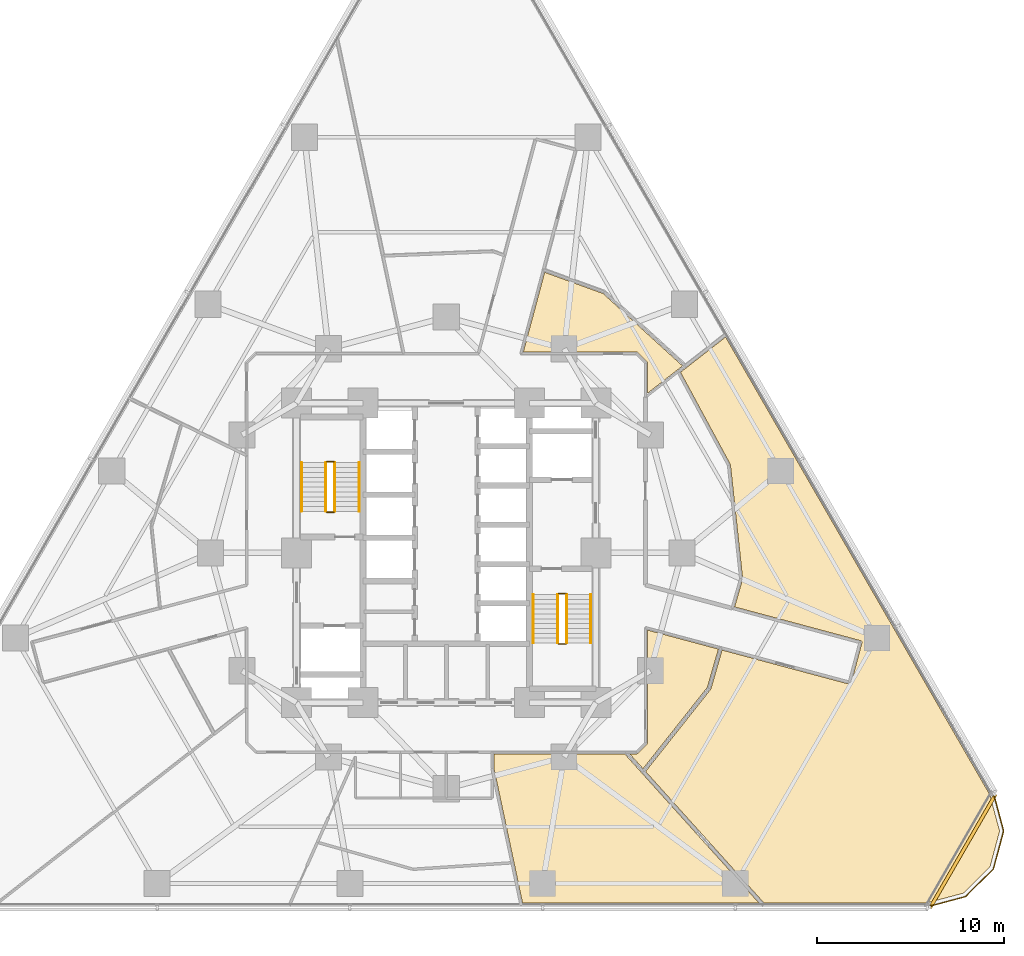
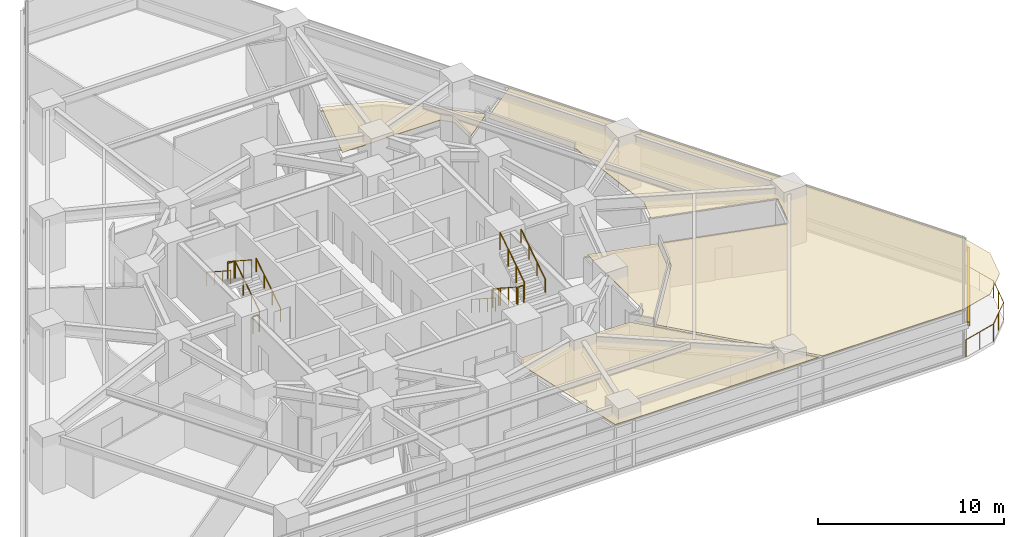
# One storey, part 14 of 15: 13 railings, 4 coverings, 1 shading device.
"""IFC4 building model written with IfcOpenShell, lengths in metres."""

from ifc_helpers import new_model, si_unit, direction, frame, origin, origin_2d, place, context, subcontext, project, spatial, polyline, rectangle, circle, outline, extrude, material, layer, layer_set, type_object, element, save


model = new_model("IFC4")

# Units and contexts
model_context = context("Model", 3, precision=1e-05, world=origin(), true_north=direction((0.0, 1.0)))
body_context = subcontext(model_context, "Body", "Model", "MODEL_VIEW")
ifc_project = project(units=[si_unit("LENGTHUNIT", "METRE"), si_unit("AREAUNIT", "SQUARE_METRE"), si_unit("VOLUMEUNIT", "CUBIC_METRE"), si_unit("PLANEANGLEUNIT", "RADIAN"), si_unit("MASSUNIT", "GRAM", prefix="KILO")], contexts=[model_context])

# Site, building, storey
site_placement = place(None, origin())
site = spatial("IfcSite", under=ifc_project, at=site_placement, CompositionType="ELEMENT")
building_placement = place(site_placement, origin())
building = spatial("IfcBuilding", under=site, at=building_placement, Name="Terralouvre Media Tower", CompositionType="ELEMENT")
storey_placement = place(building_placement, frame((0.0, 0.0, 48.199951171875)))
storey = spatial("IfcBuildingStorey", under=building, at=storey_placement, Name="L11", CompositionType="ELEMENT", Elevation=48.199951171875)

# Coverings
ifc_material_1 = material(Name="Perforated aluminium acoustic ceiling baffle", Category="aluminium")
ifc_layer_1 = layer(ifc_material_1, 0.0400390625, Name="Perforated Acoustic Metal Tile Ceiling CL-AC1")
ifc_layer_set_1 = layer_set([ifc_layer_1], Name="Perforated aluminium acoustic ceiling baffle")
covering_type = type_object("IfcCoveringType", Name="Perforated Acoustic Metal Tile Ceiling CL-AC1", PredefinedType="CEILING", material=ifc_layer_set_1)
covering_1_placement = place(storey_placement, frame((0.0, 0.0, 2.97998046875)))
element("IfcCovering", 1, at=covering_1_placement, inside=storey, type_object=covering_type, Name="L11 Voice Coaching Interview Room 1 Acoustic Ceiling", PredefinedType="CEILING", context=body_context, shape_type="SweptSolid", body=[
    extrude(outline(polyline([(12.6279296875, 9.992919921875), (8.38330078125, 13.85986328125), (5.26025390625, 14.99658203125), (4.122314453125, 10.75), (10.14990234375, 10.75), (10.159912109375, 10.74951171875), (10.16943359375, 10.748046875), (10.178955078125, 10.74560546875), (10.188232421875, 10.742431640625), (10.197021484375, 10.73828125), (10.20556640625, 10.733154296875), (10.21337890625, 10.727294921875), (10.220703125, 10.720703125), (10.720703125, 10.220703125), (10.727294921875, 10.21337890625), (10.733154296875, 10.20556640625), (10.73828125, 10.197021484375), (10.742431640625, 10.188232421875), (10.74560546875, 10.178955078125), (10.748046875, 10.16943359375), (10.74951171875, 10.159912109375), (10.75, 10.14990234375), (10.75, 8.52587890625), (12.329345703125, 9.759765625), (12.6279296875, 9.992919921875)])), origin(), (0.0, 0.0, 1.0), 0.0400390625),
])
covering_2_placement = place(storey_placement, frame((0.0, 0.0, 2.97998046875)))
element("IfcCovering", 2, at=covering_2_placement, inside=storey, type_object=covering_type, Name="L11 Digital Editing Lecture Room 2 Acoustic Ceiling", PredefinedType="CEILING", context=body_context, shape_type="SweptSolid", body=[
    extrude(outline(polyline([(13.955322265625, -7.187255859375), (14.547607421875, -5.14013671875), (10.75, -4.122314453125), (10.75, -10.14990234375), (10.74951171875, -10.159912109375), (10.748046875, -10.16943359375), (10.74560546875, -10.178955078125), (10.742431640625, -10.188232421875), (10.73828125, -10.197021484375), (10.733154296875, -10.20556640625), (10.727294921875, -10.21337890625), (10.720703125, -10.220703125), (10.220703125, -10.720703125), (10.21337890625, -10.727294921875), (10.20556640625, -10.733154296875), (10.197021484375, -10.73828125), (10.188232421875, -10.742431640625), (10.178955078125, -10.74560546875), (10.16943359375, -10.748046875), (10.159912109375, -10.74951171875), (10.14990234375, -10.75), (9.813720703125, -10.75), (10.51708984375, -11.531005859375), (13.955322265625, -7.187255859375)])), origin(), (0.0, 0.0, 1.0), 0.0400390625),
])
covering_3_placement = place(storey_placement, frame((0.0, 0.0, 2.97998046875)))
element("IfcCovering", 3, at=covering_3_placement, inside=storey, type_object=covering_type, Name="L11 Faculty Consultation Office 5 Acoustic Ceiling", PredefinedType="CEILING", context=body_context, shape_type="SweptSolid", body=[
    extrude(outline(polyline([(12.51904296875, 9.654296875), (15.177001953125, 4.732421875), (15.18115234375, 4.723876953125), (15.1845703125, 4.714599609375), (15.18701171875, 4.705322265625), (15.1884765625, 4.69580078125), (15.83935546875, -1.3662109375), (15.840087890625, -1.3759765625), (15.839599609375, -1.3857421875), (15.83837890625, -1.3955078125), (15.836181640625, -1.40478515625), (15.407470703125, -2.8857421875), (22.140869140625, -4.6904296875), (22.150146484375, -4.693359375), (22.1591796875, -4.697265625), (22.167724609375, -4.7021484375), (22.17578125, -4.707763671875), (22.183349609375, -4.714111328125), (22.190185546875, -4.72119140625), (22.1962890625, -4.728759765625), (22.20166015625, -4.737060546875), (22.2060546875, -4.74560546875), (22.209716796875, -4.7548828125), (22.21240234375, -4.764404296875), (22.214111328125, -4.77392578125), (22.21484375, -4.78369140625), (22.21484375, -4.793701171875), (22.213623046875, -4.80322265625), (22.211669921875, -4.81298828125), (21.6416015625, -6.93798828125), (21.638671875, -6.947265625), (21.634765625, -6.956298828125), (21.6298828125, -6.96484375), (21.624267578125, -6.972900390625), (21.617919921875, -6.98046875), (21.61083984375, -6.9873046875), (21.603271484375, -6.993408203125), (21.594970703125, -6.99853515625), (21.586181640625, -7.003173828125), (21.5771484375, -7.006591796875), (21.567626953125, -7.009521484375), (21.55810546875, -7.010986328125), (21.54833984375, -7.011962890625), (21.53857421875, -7.01171875), (21.52880859375, -7.0107421875), (21.51904296875, -7.008544921875), (14.74072265625, -5.19189453125), (14.14208984375, -7.26171875), (14.138916015625, -7.27099609375), (14.135009765625, -7.27978515625), (14.130126953125, -7.2880859375), (14.12451171875, -7.296142578125), (10.65283203125, -11.681884765625), (16.969482421875, -18.697021484375), (25.720703125, -18.697021484375), (27.6611328125, -18.17724609375), (29.060302734375, -16.7783203125), (29.572509765625, -14.866943359375), (29.052734375, -12.926513671875), (14.928955078125, 11.536376953125), (12.844482421875, 9.908203125), (12.51904296875, 9.654296875)])), origin(), (0.0, 0.0, 1.0), 0.0400390625),
])
covering_4_placement = place(storey_placement, frame((0.0, 0.0, 2.97998046875)))
element("IfcCovering", 4, at=covering_4_placement, inside=storey, type_object=covering_type, Name="L11 Journalism Training Classroom 13 Acoustic Ceiling", PredefinedType="CEILING", context=body_context, shape_type="SweptSolid", body=[
    extrude(outline(polyline([(9.54443359375, -10.75), (2.550048828125, -10.75), (2.550048828125, -11.515380859375), (3.617919921875, -16.539306640625), (4.075927734375, -18.697021484375), (16.700439453125, -18.697021484375), (10.44775390625, -11.7529296875), (9.54443359375, -10.75)])), origin(), (0.0, 0.0, 1.0), 0.0400390625),
])

# Railings
ifc_material_2 = material(Name="Stainless steel 316 handrail and balustrade", Category="steel")
ifc_layer_2 = layer(ifc_material_2, 0.06005859375, Name="Roof Edge Safety Guardrail GR-ROOF1")
ifc_layer_set_2 = layer_set([ifc_layer_2], Name="Stainless steel 316 handrail and balustrade")
railing_type_1 = type_object("IfcRailingType", Name="Roof Edge Safety Guardrail GR-ROOF1", PredefinedType="GUARDRAIL", material=ifc_layer_set_2)
railing_1_placement = place(storey_placement, frame((25.73779296875, -18.907958984375, 0.0)))
element("IfcRailing", 5, at=railing_1_placement, inside=storey, type_object=railing_type_1, Name="L11 Wind-Corner Perimeter Safety Guardrail C1", PredefinedType="GUARDRAIL", context=body_context, shape_type="SweptSolid", body=[
    extrude(circle(Radius=0.02099609375, at=origin_2d()), frame((0.0, 0.0, 1.12890625), z_axis=(0.965987029675, 0.258590522836, 0.0), x_axis=(-0.258590522836, 0.965987029675, 0.0)), (0.0, 0.0, 1.0), 2.095947265625),
    extrude(circle(Radius=0.02099609375, at=origin_2d()), frame((2.024658203125, 0.5419921875, 1.12890625), z_axis=(0.707165029613, 0.707048527961, 0.0), x_axis=(-0.707048527961, 0.707165029613, 0.0)), (0.0, 0.0, 1.0), 2.095703125),
    extrude(circle(Radius=0.02099609375, at=origin_2d()), frame((3.506591796875, 2.023681640625, 1.12890625), z_axis=(0.258757438042, 0.965942331745, 0.0), x_axis=(-0.965942331745, 0.258757438042, 0.0)), (0.0, 0.0, 1.0), 2.095458984375),
    extrude(circle(Radius=0.02099609375, at=origin_2d()), frame((4.048828125, 4.0478515625, 1.12890625), z_axis=(-0.259054358605, 0.965862743503, 0.0), x_axis=(-0.965862743503, -0.259054358605, 0.0)), (0.0, 0.0, 1.0), 2.095947265625),
    extrude(circle(Radius=0.01904296875, at=origin_2d()), origin(), (0.0, 0.0, 1.0), 1.10791015625),
    extrude(circle(Radius=0.01904296875, at=origin_2d()), frame((1.01220703125, 0.27099609375, 0.0)), (0.0, 0.0, 1.0), 1.10791015625),
    extrude(circle(Radius=0.01904296875, at=origin_2d()), frame((2.024658203125, 0.5419921875, 0.0)), (0.0, 0.0, 1.0), 1.10791015625),
    extrude(circle(Radius=0.01904296875, at=origin_2d()), frame((2.765625, 1.28271484375, 0.0)), (0.0, 0.0, 1.0), 1.10791015625),
    extrude(circle(Radius=0.01904296875, at=origin_2d()), frame((3.506591796875, 2.023681640625, 0.0)), (0.0, 0.0, 1.0), 1.10791015625),
    extrude(circle(Radius=0.01904296875, at=origin_2d()), frame((3.77783203125, 3.03564453125, 0.0)), (0.0, 0.0, 1.0), 1.10791015625),
    extrude(circle(Radius=0.01904296875, at=origin_2d()), frame((4.048828125, 4.0478515625, 0.0)), (0.0, 0.0, 1.0), 1.10791015625),
    extrude(circle(Radius=0.01904296875, at=origin_2d()), frame((3.77734375, 5.06005859375, 0.0)), (0.0, 0.0, 1.0), 1.10791015625),
    extrude(circle(Radius=0.01904296875, at=origin_2d()), frame((3.505859375, 6.072265625, 0.0)), (0.0, 0.0, 1.0), 1.10791015625),
])
ifc_material_3 = material(Name="Stainless steel 316 handrail and balustrade", Category="steel")
ifc_layer_3 = layer(ifc_material_3, 0.050048828125, Name="Stair Flight Wall Handrail HR-INT1")
ifc_layer_set_3 = layer_set([ifc_layer_3], Name="Stainless steel 316 handrail and balustrade")
railing_type_2 = type_object("IfcRailingType", Name="Stair Flight Wall Handrail HR-INT1", PredefinedType="HANDRAIL", material=ifc_layer_set_3)
railing_2_placement = place(storey_placement, frame((-4.64990234375, 2.219970703125, 0.168212890625)))
element("IfcRailing", 6, at=railing_2_placement, inside=storey, type_object=railing_type_2, Name="L11 ST-01 stair handrail 1", PredefinedType="HANDRAIL", context=body_context, shape_type="SweptSolid", body=[
    extrude(circle(Radius=0.02392578125, at=origin_2d()), frame((0.0, 0.0, 0.8759765625), z_axis=(0.0, 0.839648411786, 0.543130320075), x_axis=(-1.0, 0.0, 0.0)), (0.0, 0.0, 1.0), 3.0966796875),
    extrude(circle(Radius=0.02099609375, at=origin_2d()), origin(), (0.0, 0.0, 1.0), 0.851806640625),
    extrude(circle(Radius=0.02099609375, at=origin_2d()), frame((0.0, 0.86669921875, 0.560546875)), (0.0, 0.0, 1.0), 0.851806640625),
    extrude(circle(Radius=0.02099609375, at=origin_2d()), frame((0.0, 1.7333984375, 1.121337890625)), (0.0, 0.0, 1.0), 0.851806640625),
    extrude(circle(Radius=0.02099609375, at=origin_2d()), frame((0.0, 2.60009765625, 1.681884765625)), (0.0, 0.0, 1.0), 0.851806640625),
])
railing_3_placement = place(storey_placement, frame((-7.72998046875, 4.820068359375, 2.018310546875)))
element("IfcRailing", 7, at=railing_3_placement, inside=storey, type_object=railing_type_2, Name="L11 ST-01 stair handrail 2", PredefinedType="HANDRAIL", context=body_context, shape_type="SweptSolid", body=[
    extrude(circle(Radius=0.02392578125, at=origin_2d()), frame((0.0, 0.0, 0.8759765625), z_axis=(0.0, -0.839684365666, 0.543074733399), x_axis=(1.0, 0.0, 0.0)), (0.0, 0.0, 1.0), 3.096435546875),
    extrude(circle(Radius=0.02099609375, at=origin_2d()), origin(), (0.0, 0.0, 1.0), 0.851806640625),
    extrude(circle(Radius=0.02099609375, at=origin_2d()), frame((0.0, -0.86669921875, 0.560546875)), (0.0, 0.0, 1.0), 0.851806640625),
    extrude(circle(Radius=0.02099609375, at=origin_2d()), frame((0.0, -1.7333984375, 1.12109375)), (0.0, 0.0, 1.0), 0.851806640625),
    extrude(circle(Radius=0.02099609375, at=origin_2d()), frame((0.0, -2.60009765625, 1.681640625)), (0.0, 0.0, 1.0), 0.851806640625),
])
railing_4_placement = place(storey_placement, frame((4.64990234375, -2.219970703125, 0.168212890625)))
element("IfcRailing", 8, at=railing_4_placement, inside=storey, type_object=railing_type_2, Name="L11 ST-02 stair handrail 1", PredefinedType="HANDRAIL", context=body_context, shape_type="SweptSolid", body=[
    extrude(circle(Radius=0.02392578125, at=origin_2d()), frame((0.0, 0.0, 0.8759765625), z_axis=(0.0, -0.839648411786, 0.543130320075), x_axis=(1.0, 0.0, 0.0)), (0.0, 0.0, 1.0), 3.0966796875),
    extrude(circle(Radius=0.02099609375, at=origin_2d()), origin(), (0.0, 0.0, 1.0), 0.851806640625),
    extrude(circle(Radius=0.02099609375, at=origin_2d()), frame((0.0, -0.86669921875, 0.560546875)), (0.0, 0.0, 1.0), 0.851806640625),
    extrude(circle(Radius=0.02099609375, at=origin_2d()), frame((0.0, -1.7333984375, 1.121337890625)), (0.0, 0.0, 1.0), 0.851806640625),
    extrude(circle(Radius=0.02099609375, at=origin_2d()), frame((0.0, -2.60009765625, 1.681884765625)), (0.0, 0.0, 1.0), 0.851806640625),
])
railing_5_placement = place(storey_placement, frame((7.72998046875, -4.820068359375, 2.018310546875)))
element("IfcRailing", 9, at=railing_5_placement, inside=storey, type_object=railing_type_2, Name="L11 ST-02 stair handrail 2", PredefinedType="HANDRAIL", context=body_context, shape_type="SweptSolid", body=[
    extrude(circle(Radius=0.02392578125, at=origin_2d()), frame((0.0, 0.0, 0.8759765625), z_axis=(0.0, 0.839684365666, 0.543074733399), x_axis=(-1.0, 0.0, 0.0)), (0.0, 0.0, 1.0), 3.096435546875),
    extrude(circle(Radius=0.02099609375, at=origin_2d()), origin(), (0.0, 0.0, 1.0), 0.851806640625),
    extrude(circle(Radius=0.02099609375, at=origin_2d()), frame((0.0, 0.86669921875, 0.560546875)), (0.0, 0.0, 1.0), 0.851806640625),
    extrude(circle(Radius=0.02099609375, at=origin_2d()), frame((0.0, 1.7333984375, 1.12109375)), (0.0, 0.0, 1.0), 0.851806640625),
    extrude(circle(Radius=0.02099609375, at=origin_2d()), frame((0.0, 2.60009765625, 1.681640625)), (0.0, 0.0, 1.0), 0.851806640625),
])
ifc_material_4 = material(Name="Stainless steel 316 handrail and balustrade", Category="steel")
ifc_layer_4 = layer(ifc_material_4, 0.050048828125, Name="Stairwell Safety Guardrail GR-INT1")
ifc_layer_set_4 = layer_set([ifc_layer_4], Name="Stainless steel 316 handrail and balustrade")
railing_type_3 = type_object("IfcRailingType", Name="Stairwell Safety Guardrail GR-INT1", PredefinedType="GUARDRAIL", material=ifc_layer_set_4)
railing_6_placement = place(storey_placement, frame((-5.949951171875, 2.219970703125, 0.168212890625)))
element("IfcRailing", 10, at=railing_6_placement, inside=storey, type_object=railing_type_3, Name="L11 ST-01 stair guard 1", PredefinedType="GUARDRAIL", context=body_context, shape_type="SweptSolid", body=[
    extrude(circle(Radius=0.02392578125, at=origin_2d()), frame((0.0, 0.0, 1.1259765625), z_axis=(0.0, 0.839648411786, 0.543130320075), x_axis=(-1.0, 0.0, 0.0)), (0.0, 0.0, 1.0), 3.0966796875),
    extrude(circle(Radius=0.02099609375, at=origin_2d()), origin(), (0.0, 0.0, 1.0), 1.101806640625),
    extrude(circle(Radius=0.02099609375, at=origin_2d()), frame((0.0, 0.86669921875, 0.560546875)), (0.0, 0.0, 1.0), 1.101806640625),
    extrude(circle(Radius=0.02099609375, at=origin_2d()), frame((0.0, 1.7333984375, 1.121337890625)), (0.0, 0.0, 1.0), 1.101806640625),
    extrude(circle(Radius=0.02099609375, at=origin_2d()), frame((0.0, 2.60009765625, 1.681884765625)), (0.0, 0.0, 1.0), 1.101806640625),
])
railing_7_placement = place(storey_placement, frame((-6.0, 4.8701171875, 1.85009765625)))
element("IfcRailing", 11, at=railing_7_placement, inside=storey, type_object=railing_type_3, Name="L11 ST-01 stair guard 2", PredefinedType="GUARDRAIL", context=body_context, shape_type="SweptSolid", body=[
    extrude(circle(Radius=0.02392578125, at=origin_2d()), frame((0.0, 0.0, 1.1259765625), z_axis=(-1.0, 0.0, 0.0), x_axis=(0.0, -1.0, 0.0)), (0.0, 0.0, 1.0), 0.3798828125),
    extrude(circle(Radius=0.02099609375, at=origin_2d()), origin(), (0.0, 0.0, 1.0), 1.101806640625),
    extrude(circle(Radius=0.02099609375, at=origin_2d()), frame((-0.3798828125, 0.0, 0.0)), (0.0, 0.0, 1.0), 1.101806640625),
])
railing_8_placement = place(storey_placement, frame((-6.429931640625, 4.820068359375, 2.018310546875)))
element("IfcRailing", 12, at=railing_8_placement, inside=storey, type_object=railing_type_3, Name="L11 ST-01 stair guard 3", PredefinedType="GUARDRAIL", context=body_context, shape_type="SweptSolid", body=[
    extrude(circle(Radius=0.02392578125, at=origin_2d()), frame((0.0, 0.0, 1.1259765625), z_axis=(0.0, -0.839684365666, 0.543074733399), x_axis=(1.0, 0.0, 0.0)), (0.0, 0.0, 1.0), 3.096435546875),
    extrude(circle(Radius=0.02099609375, at=origin_2d()), origin(), (0.0, 0.0, 1.0), 1.101806640625),
    extrude(circle(Radius=0.02099609375, at=origin_2d()), frame((0.0, -0.86669921875, 0.560546875)), (0.0, 0.0, 1.0), 1.101806640625),
    extrude(circle(Radius=0.02099609375, at=origin_2d()), frame((0.0, -1.7333984375, 1.12109375)), (0.0, 0.0, 1.0), 1.101806640625),
    extrude(circle(Radius=0.02099609375, at=origin_2d()), frame((0.0, -2.60009765625, 1.681640625)), (0.0, 0.0, 1.0), 1.101806640625),
])
railing_9_placement = place(storey_placement, frame((-6.0, 2.169921875, 0.0)))
element("IfcRailing", 13, at=railing_9_placement, inside=storey, type_object=railing_type_3, Name="L11 ST-01 stair guard 4", PredefinedType="GUARDRAIL", context=body_context, shape_type="SweptSolid", body=[
    extrude(circle(Radius=0.02392578125, at=origin_2d()), frame((0.0, 0.0, 1.1259765625), z_axis=(-1.0, 0.0, 0.0), x_axis=(0.0, -1.0, 0.0)), (0.0, 0.0, 1.0), 0.3798828125),
    extrude(circle(Radius=0.02099609375, at=origin_2d()), origin(), (0.0, 0.0, 1.0), 1.101806640625),
    extrude(circle(Radius=0.02099609375, at=origin_2d()), frame((-0.3798828125, 0.0, 0.0)), (0.0, 0.0, 1.0), 1.101806640625),
])
railing_10_placement = place(storey_placement, frame((5.949951171875, -2.219970703125, 0.168212890625)))
element("IfcRailing", 14, at=railing_10_placement, inside=storey, type_object=railing_type_3, Name="L11 ST-02 stair guard 1", PredefinedType="GUARDRAIL", context=body_context, shape_type="SweptSolid", body=[
    extrude(circle(Radius=0.02392578125, at=origin_2d()), frame((0.0, 0.0, 1.1259765625), z_axis=(0.0, -0.839648411786, 0.543130320075), x_axis=(1.0, 0.0, 0.0)), (0.0, 0.0, 1.0), 3.0966796875),
    extrude(circle(Radius=0.02099609375, at=origin_2d()), origin(), (0.0, 0.0, 1.0), 1.101806640625),
    extrude(circle(Radius=0.02099609375, at=origin_2d()), frame((0.0, -0.86669921875, 0.560546875)), (0.0, 0.0, 1.0), 1.101806640625),
    extrude(circle(Radius=0.02099609375, at=origin_2d()), frame((0.0, -1.7333984375, 1.121337890625)), (0.0, 0.0, 1.0), 1.101806640625),
    extrude(circle(Radius=0.02099609375, at=origin_2d()), frame((0.0, -2.60009765625, 1.681884765625)), (0.0, 0.0, 1.0), 1.101806640625),
])
railing_11_placement = place(storey_placement, frame((6.0, -4.8701171875, 1.85009765625)))
element("IfcRailing", 15, at=railing_11_placement, inside=storey, type_object=railing_type_3, Name="L11 ST-02 stair guard 2", PredefinedType="GUARDRAIL", context=body_context, shape_type="SweptSolid", body=[
    extrude(circle(Radius=0.02392578125, at=origin_2d()), frame((0.0, 0.0, 1.1259765625), z_axis=(1.0, 0.0, 0.0), x_axis=(0.0, 1.0, 0.0)), (0.0, 0.0, 1.0), 0.3798828125),
    extrude(circle(Radius=0.02099609375, at=origin_2d()), origin(), (0.0, 0.0, 1.0), 1.101806640625),
    extrude(circle(Radius=0.02099609375, at=origin_2d()), frame((0.3798828125, 0.0, 0.0)), (0.0, 0.0, 1.0), 1.101806640625),
])
railing_12_placement = place(storey_placement, frame((6.429931640625, -4.820068359375, 2.018310546875)))
element("IfcRailing", 16, at=railing_12_placement, inside=storey, type_object=railing_type_3, Name="L11 ST-02 stair guard 3", PredefinedType="GUARDRAIL", context=body_context, shape_type="SweptSolid", body=[
    extrude(circle(Radius=0.02392578125, at=origin_2d()), frame((0.0, 0.0, 1.1259765625), z_axis=(0.0, 0.839684365666, 0.543074733399), x_axis=(-1.0, 0.0, 0.0)), (0.0, 0.0, 1.0), 3.096435546875),
    extrude(circle(Radius=0.02099609375, at=origin_2d()), origin(), (0.0, 0.0, 1.0), 1.101806640625),
    extrude(circle(Radius=0.02099609375, at=origin_2d()), frame((0.0, 0.86669921875, 0.560546875)), (0.0, 0.0, 1.0), 1.101806640625),
    extrude(circle(Radius=0.02099609375, at=origin_2d()), frame((0.0, 1.7333984375, 1.12109375)), (0.0, 0.0, 1.0), 1.101806640625),
    extrude(circle(Radius=0.02099609375, at=origin_2d()), frame((0.0, 2.60009765625, 1.681640625)), (0.0, 0.0, 1.0), 1.101806640625),
])
railing_13_placement = place(storey_placement, frame((6.0, -2.169921875, 0.0)))
element("IfcRailing", 17, at=railing_13_placement, inside=storey, type_object=railing_type_3, Name="L11 ST-02 stair guard 4", PredefinedType="GUARDRAIL", context=body_context, shape_type="SweptSolid", body=[
    extrude(circle(Radius=0.02392578125, at=origin_2d()), frame((0.0, 0.0, 1.1259765625), z_axis=(1.0, 0.0, 0.0), x_axis=(0.0, 1.0, 0.0)), (0.0, 0.0, 1.0), 0.3798828125),
    extrude(circle(Radius=0.02099609375, at=origin_2d()), origin(), (0.0, 0.0, 1.0), 1.101806640625),
    extrude(circle(Radius=0.02099609375, at=origin_2d()), frame((0.3798828125, 0.0, 0.0)), (0.0, 0.0, 1.0), 1.101806640625),
])

# Shading device
ifc_material_5 = material(Name="Extruded terracotta baguette sunshade louvres", Category="masonry")
shading_device_type = type_object("IfcShadingDeviceType", Name="Terracotta Baguette Sunshade Louvre Screen TB-LV1", PredefinedType="USERDEFINED", material=ifc_material_5)
shading_device_placement = place(storey_placement, frame((27.607666015625, -15.939208984375, 2.02392578125), z_axis=(0.0, 0.0, 1.0), x_axis=(0.499999691503, 0.866025581895, 0.0)))
element("IfcShadingDevice", 18, at=shading_device_placement, inside=storey, type_object=shading_device_type, Name="CW-L11-C1 Terracotta Baguette Sunshade Louvre", ObjectType="BAGUETTE", PredefinedType="USERDEFINED", context=body_context, shape_type="SweptSolid", body=[
    extrude(rectangle(XDim=7.014892578125, YDim=0.179931640625, at=origin_2d()), origin(), (0.0, 0.0, 1.0), 0.280029296875),
])

save(model, "model.ifc")
